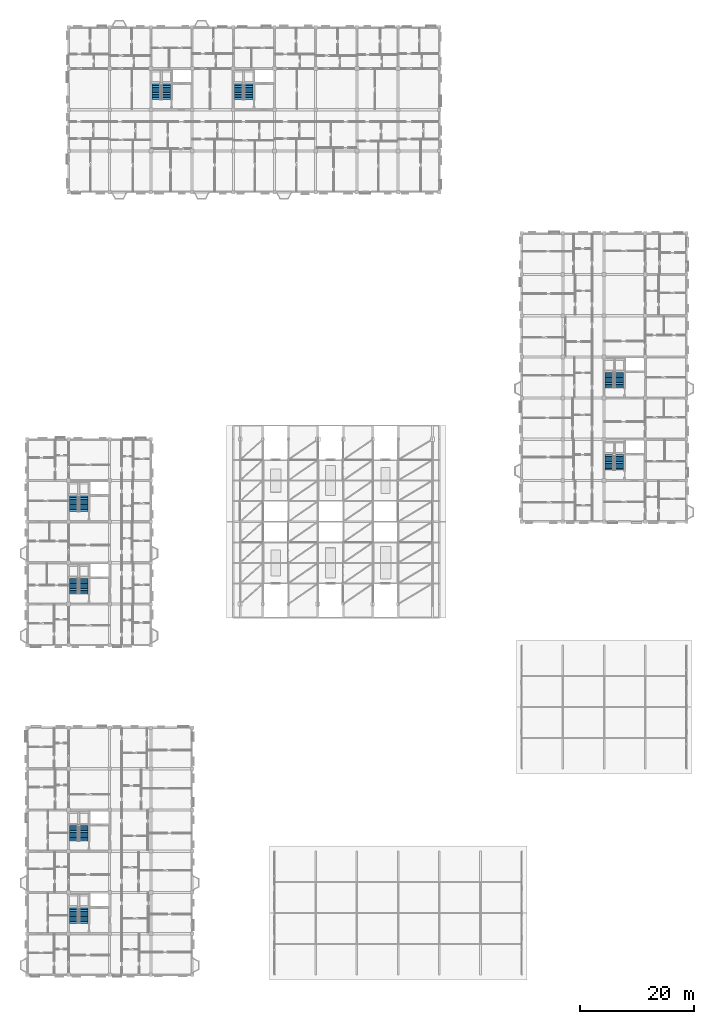
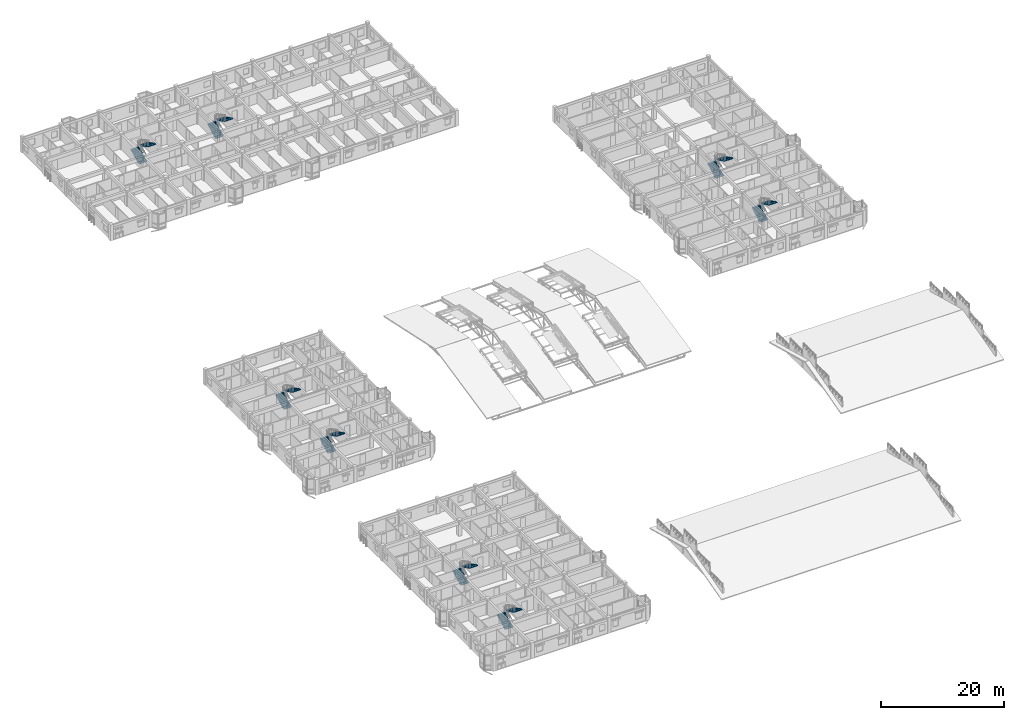
# One storey, part 114 of 124: 16 stair flights, 8 elements without a shape of their own.
"""IFC4 building model written with IfcOpenShell, lengths in metres."""

import ifcopenshell
import ifcopenshell.guid

model = None  # the IFC model being written
_history = None  # IfcOwnerHistory: only IFC2X3 demands one
_inside = {}  # id of a spatial element -> (the spatial element, [elements in it])
_under = {}  # id of a project, library or spatial element -> (it, [spatial elements below it])
_declared = {}  # id of a project -> (the project, [libraries it declares])
_typed = {}  # id of a type object -> (the type object, [elements of that type])
_made_of = {}  # id of a material, layer set ... -> (it, [elements and type objects made of it])


def new_model(schema):
    """Start an empty IFC model of exactly this schema.

    Asked for "IFC4X3", IfcOpenShell would pick the latest addendum, in which some entities
    have other attributes; the version numbers below select the first issue.
    IFC2X3 requires an IfcOwnerHistory on every rooted entity: one is made here for all.
    """
    global model, _history
    if schema == "IFC4X3":
        model = ifcopenshell.file(schema_version=(4, 3, 0, 0))
    else:
        model = ifcopenshell.file(schema=schema)
    _inside.clear()
    _under.clear()
    _declared.clear()
    _typed.clear()
    _made_of.clear()
    _history = None
    if model.schema == "IFC2X3":
        org = make("IfcOrganization", Name="unknown")
        user = make(
            "IfcPersonAndOrganization",
            ThePerson=make("IfcPerson", FamilyName="unknown"),
            TheOrganization=org,
        )
        app = make(
            "IfcApplication",
            ApplicationDeveloper=org,
            Version="unknown",
            ApplicationFullName="unknown",
            ApplicationIdentifier="unknown",
        )
        _history = make(
            "IfcOwnerHistory",
            OwningUser=user,
            OwningApplication=app,
            ChangeAction="ADDED",
            CreationDate=0,
        )
    return model


def make(cls, **values):
    """One entity of the class cls with the attributes given. An attribute that is None is left unset."""
    return model.create_entity(
        cls, **{name: value for name, value in values.items() if value is not None}
    )


def rooted(cls, **values):
    """An entity with a GlobalId (a new one), such as an element, a storey or a relation."""
    return make(cls, GlobalId=ifcopenshell.guid.new(), OwnerHistory=_history, **values)


def si_unit(unit_type, name, prefix=None):
    """IfcSIUnit, for example si_unit("LENGTHUNIT", "METRE", prefix="MILLI")."""
    return make("IfcSIUnit", UnitType=unit_type, Prefix=prefix, Name=name)


def assignment(units):
    """IfcUnitAssignment: the units of a project."""
    return None if units is None else make("IfcUnitAssignment", Units=units)


def point(xyz):
    """IfcCartesianPoint."""
    return None if xyz is None else make("IfcCartesianPoint", Coordinates=xyz)


def direction(xyz):
    """IfcDirection."""
    return None if xyz is None else make("IfcDirection", DirectionRatios=xyz)


def frame(location, z_axis=None, x_axis=None):
    """IfcAxis2Placement3D, a coordinate frame: its origin and axes. An axis left out is left unset."""
    return make(
        "IfcAxis2Placement3D",
        Location=point(location),
        Axis=direction(z_axis),
        RefDirection=direction(x_axis),
    )


def origin():
    """The frame at (0, 0, 0) with its axes left unset."""
    return frame((0.0, 0.0, 0.0))


def place(relative_to, where):
    """IfcLocalPlacement: puts the frame where relative to a parent placement (None: the world)."""
    return make(
        "IfcLocalPlacement", PlacementRelTo=relative_to, RelativePlacement=where
    )


def context(
    kind, dimensions, precision=None, world=None, true_north=None, identifier=None
):
    """IfcGeometricRepresentationContext, for example the 3D "Model" context."""
    return make(
        "IfcGeometricRepresentationContext",
        ContextIdentifier=identifier,
        ContextType=kind,
        CoordinateSpaceDimension=dimensions,
        Precision=precision,
        WorldCoordinateSystem=world,
        TrueNorth=true_north,
    )


def subcontext(parent, identifier, kind, view, scale=None):
    """IfcGeometricRepresentationSubContext, for example "Body" below "Model"."""
    return make(
        "IfcGeometricRepresentationSubContext",
        ContextIdentifier=identifier,
        ContextType=kind,
        ParentContext=parent,
        TargetScale=scale,
        TargetView=view,
    )


def project(units=None, contexts=None):
    """IfcProject with its units and contexts."""
    return rooted(
        "IfcProject",
        Name="project",
        RepresentationContexts=contexts,
        UnitsInContext=assignment(units),
    )


def spatial(cls, under=None, at=None, **own):
    """A site, building, storey or space (cls), placed at a placement, below another one or the project."""
    s = rooted(cls, ObjectPlacement=at, **own)
    if under is not None:
        _under.setdefault(under.id(), (under, []))[1].append(s)
    return s


def polyline(points):
    """IfcPolyline through the points."""
    return make("IfcPolyline", Points=[point(p) for p in points])


def outline(outer, holes=None, kind="AREA"):
    """IfcArbitraryClosedProfileDef: a profile drawn as a closed curve; with holes, ...WithVoids."""
    if holes is None:
        return make("IfcArbitraryClosedProfileDef", ProfileType=kind, OuterCurve=outer)
    return make(
        "IfcArbitraryProfileDefWithVoids",
        ProfileType=kind,
        OuterCurve=outer,
        InnerCurves=holes,
    )


def extrude(swept, where, along, depth):
    """IfcExtrudedAreaSolid: the profile swept, set in the frame where, extruded along a direction by depth."""
    return make(
        "IfcExtrudedAreaSolid",
        SweptArea=swept,
        Position=where,
        ExtrudedDirection=direction(along),
        Depth=depth,
    )


def shape(context_of_items, identifier, shape_type, items):
    """IfcShapeRepresentation: the items that make up one representation, for example the "Body"."""
    return make(
        "IfcShapeRepresentation",
        ContextOfItems=context_of_items,
        RepresentationIdentifier=identifier,
        RepresentationType=shape_type,
        Items=items,
    )


def material(Name=None, Category=None):
    """IfcMaterial."""
    return make("IfcMaterial", Name=Name, Category=Category)


def made_of(thing, what):
    """Note that an element or type object is made of a material, layer set ...; save() writes the relation."""
    if what is not None:
        _made_of.setdefault(what.id(), (what, []))[1].append(thing)
    return thing


def type_object(cls, material=None, **own):
    """A type object (cls), such as IfcWallType, which elements share."""
    return made_of(rooted(cls, **own), material)


def element(
    cls,
    number,
    at=None,
    inside=None,
    cuts=None,
    type_object=None,
    material=None,
    context=None,
    identifier="Body",
    shape_type=None,
    held_by="IfcProductDefinitionShape",
    body=None,
    shapes=None,
    **own,
):
    """One element of the class cls, such as IfcWall. Its Tag is "e" and its number.

    at: its placement. inside: the storey or other place that contains it. cuts: it is an
    opening in that element (IfcRelVoidsElement). A single representation is given by context,
    identifier, shape_type and body (its items); several are given by shapes. held_by: the class
    of the entity that holds the representations. save() writes the other relations.
    """
    e = rooted(cls, Tag="e%d" % number, ObjectPlacement=at, **own)
    if body is not None:
        shapes = [shape(context, identifier, shape_type, body)]
    if shapes is not None:
        e.Representation = make(held_by, Representations=shapes)
    if inside is not None:
        _inside.setdefault(inside.id(), (inside, []))[1].append(e)
    if cuts is not None:
        rooted(
            "IfcRelVoidsElement", RelatingBuildingElement=cuts, RelatedOpeningElement=e
        )
    if type_object is not None:
        _typed.setdefault(type_object.id(), (type_object, []))[1].append(e)
    return made_of(e, material)


def aggregate(whole, parts):
    """IfcRelAggregates: a whole, such as a stair, and the parts it consists of."""
    return rooted("IfcRelAggregates", RelatingObject=whole, RelatedObjects=parts)


def save(model, path):
    """Write the relations noted so far, then the file.

    IfcRelAggregates (storeys below a building ...), IfcRelContainedInSpatialStructure (elements
    in a storey), IfcRelDefinesByType, IfcRelAssociatesMaterial and IfcRelDeclares: one each for
    every whole, place, type object, material and project.
    """
    for whole, parts in _under.values():
        aggregate(whole, parts)
    for where, things in _inside.values():
        rooted(
            "IfcRelContainedInSpatialStructure",
            RelatedElements=things,
            RelatingStructure=where,
        )
    for kind, things in _typed.values():
        rooted("IfcRelDefinesByType", RelatedObjects=things, RelatingType=kind)
    for what, things in _made_of.values():
        rooted("IfcRelAssociatesMaterial", RelatedObjects=things, RelatingMaterial=what)
    for by, libraries in _declared.values():
        rooted("IfcRelDeclares", RelatingContext=by, RelatedDefinitions=libraries)
    model.write(path)


model = new_model("IFC4")

# Units and contexts
model_context = context("Model", 3, precision=1e-05, world=origin(), true_north=direction((0.0, 1.0)))
body_context = subcontext(model_context, "Body", "Model", "MODEL_VIEW")
ifc_project = project(units=[si_unit("LENGTHUNIT", "METRE"), si_unit("AREAUNIT", "SQUARE_METRE"), si_unit("VOLUMEUNIT", "CUBIC_METRE"), si_unit("PLANEANGLEUNIT", "RADIAN"), si_unit("MASSUNIT", "GRAM", prefix="KILO"), si_unit("THERMODYNAMICTEMPERATUREUNIT", "KELVIN"), si_unit("POWERUNIT", "WATT")], contexts=[model_context])

# Site, building, storey
site_placement = place(None, origin())
site = spatial("IfcSite", under=ifc_project, at=site_placement, CompositionType="ELEMENT")
building_placement = place(site_placement, origin())
building = spatial("IfcBuilding", under=site, at=building_placement, Name="Tavuni Mirador Residences", CompositionType="ELEMENT")
storey_placement = place(building_placement, frame((0.0, 0.0, 7.64990234375)))
storey = spatial("IfcBuildingStorey", under=building, at=storey_placement, Name="L02", CompositionType="ELEMENT", Elevation=7.64990234375)

# Stair, stair flights
ifc_material = material(Name="Precast concrete C40/50", Category="concrete")
stair_type = type_object("IfcStairType", Name="STT-TYP", PredefinedType="HALF_TURN_STAIR", material=ifc_material)
stair_1_placement = place(storey_placement, origin())
stair_1 = element("IfcStair", 1, at=stair_1_placement, inside=storey, type_object=stair_type, Name="Protected exit stair ST1 (L02)", PredefinedType="HALF_TURN_STAIR")
stair_flight_type = type_object("IfcStairFlightType", Name="SFT-1500", PredefinedType="STRAIGHT", material=ifc_material)
stair_flight_1_placement = place(storey_placement, frame((11.75, 16.199951171875, 0.0), z_axis=(0.0, 0.0, 1.0), x_axis=(0.0, 1.0, 0.0)))
stair_flight_1 = element("IfcStairFlight", 2, at=stair_flight_1_placement, type_object=stair_flight_type, Name="ST1 flight 1", NumberOfRisers=10, NumberOfTreads=9, PredefinedType="STRAIGHT", RiserHeight=0.1575, TreadLength=0.3, context=body_context, shape_type="SweptSolid", body=[
    extrude(outline(polyline([(0.0, 0.0), (0.0, 0.157470703125), (0.300048828125, 0.157470703125), (0.300048828125, 0.31494140625), (0.60009765625, 0.31494140625), (0.60009765625, 0.472412109375), (0.89990234375, 0.472412109375), (0.89990234375, 0.6298828125), (1.199951171875, 0.6298828125), (1.199951171875, 0.78759765625), (1.5, 0.78759765625), (1.5, 0.945068359375), (1.800048828125, 0.945068359375), (1.800048828125, 1.1025390625), (2.10009765625, 1.1025390625), (2.10009765625, 1.260009765625), (2.39990234375, 1.260009765625), (2.39990234375, 1.41748046875), (2.699951171875, 1.41748046875), (2.699951171875, 1.574951171875), (2.699951171875, 1.23681640625), (0.343994140625, 0.0), (0.0, 0.0)])), frame((0.0, 0.75, 0.0), z_axis=(0.0, -1.0, 0.0), x_axis=(1.0, 0.0, 0.0)), (0.0, 0.0, 1.0), 1.5),
])
stair_flight_2_placement = place(storey_placement, frame((13.449951171875, 18.89990234375, 1.5751953125), z_axis=(0.0, 0.0, 1.0), x_axis=(0.0, -1.0, 0.0)))
stair_flight_2 = element("IfcStairFlight", 3, at=stair_flight_2_placement, type_object=stair_flight_type, Name="ST1 flight 2", NumberOfRisers=10, NumberOfTreads=9, PredefinedType="STRAIGHT", RiserHeight=0.1575, TreadLength=0.3, context=body_context, shape_type="SweptSolid", body=[
    extrude(outline(polyline([(0.0, 0.0), (0.0, 0.157470703125), (0.300048828125, 0.157470703125), (0.300048828125, 0.31494140625), (0.60009765625, 0.31494140625), (0.60009765625, 0.472412109375), (0.89990234375, 0.472412109375), (0.89990234375, 0.6298828125), (1.199951171875, 0.6298828125), (1.199951171875, 0.78759765625), (1.5, 0.78759765625), (1.5, 0.945068359375), (1.800048828125, 0.945068359375), (1.800048828125, 1.1025390625), (2.10009765625, 1.1025390625), (2.10009765625, 1.260009765625), (2.39990234375, 1.260009765625), (2.39990234375, 1.41748046875), (2.699951171875, 1.41748046875), (2.699951171875, 1.574951171875), (2.699951171875, 1.23681640625), (0.343994140625, 0.0), (0.0, 0.0)])), frame((0.0, 0.75, 0.0), z_axis=(0.0, -1.0, 0.0), x_axis=(1.0, 0.0, 0.0)), (0.0, 0.0, 1.0), 1.5),
])
aggregate(stair_1, [stair_flight_1, stair_flight_2])

stair_2_placement = place(storey_placement, origin())
stair_2 = element("IfcStair", 4, at=stair_2_placement, inside=storey, type_object=stair_type, Name="Protected exit stair ST2 (L02)", PredefinedType="HALF_TURN_STAIR")
stair_flight_3_placement = place(storey_placement, frame((11.75, 30.60009765625, 0.0), z_axis=(0.0, 0.0, 1.0), x_axis=(0.0, 1.0, 0.0)))
stair_flight_3 = element("IfcStairFlight", 5, at=stair_flight_3_placement, type_object=stair_flight_type, Name="ST2 flight 1", NumberOfRisers=10, NumberOfTreads=9, PredefinedType="STRAIGHT", RiserHeight=0.1575, TreadLength=0.3, context=body_context, shape_type="SweptSolid", body=[
    extrude(outline(polyline([(0.0, 0.0), (0.0, 0.157470703125), (0.300048828125, 0.157470703125), (0.300048828125, 0.31494140625), (0.60009765625, 0.31494140625), (0.60009765625, 0.472412109375), (0.89990234375, 0.472412109375), (0.89990234375, 0.6298828125), (1.199951171875, 0.6298828125), (1.199951171875, 0.78759765625), (1.5, 0.78759765625), (1.5, 0.945068359375), (1.800048828125, 0.945068359375), (1.800048828125, 1.1025390625), (2.10009765625, 1.1025390625), (2.10009765625, 1.260009765625), (2.39990234375, 1.260009765625), (2.39990234375, 1.41748046875), (2.699951171875, 1.41748046875), (2.699951171875, 1.574951171875), (2.699951171875, 1.23681640625), (0.343994140625, 0.0), (0.0, 0.0)])), frame((0.0, 0.75, 0.0), z_axis=(0.0, -1.0, 0.0), x_axis=(1.0, 0.0, 0.0)), (0.0, 0.0, 1.0), 1.5),
])
stair_flight_4_placement = place(storey_placement, frame((13.449951171875, 33.300048828125, 1.5751953125), z_axis=(0.0, 0.0, 1.0), x_axis=(0.0, -1.0, 0.0)))
stair_flight_4 = element("IfcStairFlight", 6, at=stair_flight_4_placement, type_object=stair_flight_type, Name="ST2 flight 2", NumberOfRisers=10, NumberOfTreads=9, PredefinedType="STRAIGHT", RiserHeight=0.1575, TreadLength=0.3, context=body_context, shape_type="SweptSolid", body=[
    extrude(outline(polyline([(0.0, 0.0), (0.0, 0.157470703125), (0.300048828125, 0.157470703125), (0.300048828125, 0.31494140625), (0.60009765625, 0.31494140625), (0.60009765625, 0.472412109375), (0.89990234375, 0.472412109375), (0.89990234375, 0.6298828125), (1.199951171875, 0.6298828125), (1.199951171875, 0.78759765625), (1.5, 0.78759765625), (1.5, 0.945068359375), (1.800048828125, 0.945068359375), (1.800048828125, 1.1025390625), (2.10009765625, 1.1025390625), (2.10009765625, 1.260009765625), (2.39990234375, 1.260009765625), (2.39990234375, 1.41748046875), (2.699951171875, 1.41748046875), (2.699951171875, 1.574951171875), (2.699951171875, 1.23681640625), (0.343994140625, 0.0), (0.0, 0.0)])), frame((0.0, 0.75, 0.0), z_axis=(0.0, -1.0, 0.0), x_axis=(1.0, 0.0, 0.0)), (0.0, 0.0, 1.0), 1.5),
])
aggregate(stair_2, [stair_flight_3, stair_flight_4])

stair_3_placement = place(storey_placement, origin())
stair_3 = element("IfcStair", 7, at=stair_3_placement, inside=storey, type_object=stair_type, Name="Protected exit stair ST3 (L02)", PredefinedType="HALF_TURN_STAIR")
stair_flight_5_placement = place(storey_placement, frame((11.75, 73.800048828125, 0.0), z_axis=(0.0, 0.0, 1.0), x_axis=(0.0, 1.0, 0.0)))
stair_flight_5 = element("IfcStairFlight", 8, at=stair_flight_5_placement, type_object=stair_flight_type, Name="ST3 flight 1", NumberOfRisers=10, NumberOfTreads=9, PredefinedType="STRAIGHT", RiserHeight=0.1575, TreadLength=0.3, context=body_context, shape_type="SweptSolid", body=[
    extrude(outline(polyline([(0.0, 0.0), (0.0, 0.157470703125), (0.300048828125, 0.157470703125), (0.300048828125, 0.31494140625), (0.60009765625, 0.31494140625), (0.60009765625, 0.472412109375), (0.89990234375, 0.472412109375), (0.89990234375, 0.6298828125), (1.199951171875, 0.6298828125), (1.199951171875, 0.78759765625), (1.5, 0.78759765625), (1.5, 0.945068359375), (1.800048828125, 0.945068359375), (1.800048828125, 1.1025390625), (2.10009765625, 1.1025390625), (2.10009765625, 1.260009765625), (2.39990234375, 1.260009765625), (2.39990234375, 1.41748046875), (2.699951171875, 1.41748046875), (2.699951171875, 1.574951171875), (2.699951171875, 1.23681640625), (0.343994140625, 0.0), (0.0, 0.0)])), frame((0.0, 0.75, 0.0), z_axis=(0.0, -1.0, 0.0), x_axis=(1.0, 0.0, 0.0)), (0.0, 0.0, 1.0), 1.5),
])
stair_flight_6_placement = place(storey_placement, frame((13.449951171875, 76.5, 1.5751953125), z_axis=(0.0, 0.0, 1.0), x_axis=(0.0, -1.0, 0.0)))
stair_flight_6 = element("IfcStairFlight", 9, at=stair_flight_6_placement, type_object=stair_flight_type, Name="ST3 flight 2", NumberOfRisers=10, NumberOfTreads=9, PredefinedType="STRAIGHT", RiserHeight=0.1575, TreadLength=0.3, context=body_context, shape_type="SweptSolid", body=[
    extrude(outline(polyline([(0.0, 0.0), (0.0, 0.157470703125), (0.300048828125, 0.157470703125), (0.300048828125, 0.31494140625), (0.60009765625, 0.31494140625), (0.60009765625, 0.472412109375), (0.89990234375, 0.472412109375), (0.89990234375, 0.6298828125), (1.199951171875, 0.6298828125), (1.199951171875, 0.78759765625), (1.5, 0.78759765625), (1.5, 0.945068359375), (1.800048828125, 0.945068359375), (1.800048828125, 1.1025390625), (2.10009765625, 1.1025390625), (2.10009765625, 1.260009765625), (2.39990234375, 1.260009765625), (2.39990234375, 1.41748046875), (2.699951171875, 1.41748046875), (2.699951171875, 1.574951171875), (2.699951171875, 1.23681640625), (0.343994140625, 0.0), (0.0, 0.0)])), frame((0.0, 0.75, 0.0), z_axis=(0.0, -1.0, 0.0), x_axis=(1.0, 0.0, 0.0)), (0.0, 0.0, 1.0), 1.5),
])
aggregate(stair_3, [stair_flight_5, stair_flight_6])

stair_4_placement = place(storey_placement, origin())
stair_4 = element("IfcStair", 10, at=stair_4_placement, inside=storey, type_object=stair_type, Name="Protected exit stair ST4 (L02)", PredefinedType="HALF_TURN_STAIR")
stair_flight_7_placement = place(storey_placement, frame((11.75, 88.199951171875, 0.0), z_axis=(0.0, 0.0, 1.0), x_axis=(0.0, 1.0, 0.0)))
stair_flight_7 = element("IfcStairFlight", 11, at=stair_flight_7_placement, type_object=stair_flight_type, Name="ST4 flight 1", NumberOfRisers=10, NumberOfTreads=9, PredefinedType="STRAIGHT", RiserHeight=0.1575, TreadLength=0.3, context=body_context, shape_type="SweptSolid", body=[
    extrude(outline(polyline([(0.0, 0.0), (0.0, 0.157470703125), (0.300048828125, 0.157470703125), (0.300048828125, 0.31494140625), (0.60009765625, 0.31494140625), (0.60009765625, 0.472412109375), (0.89990234375, 0.472412109375), (0.89990234375, 0.6298828125), (1.199951171875, 0.6298828125), (1.199951171875, 0.78759765625), (1.5, 0.78759765625), (1.5, 0.945068359375), (1.800048828125, 0.945068359375), (1.800048828125, 1.1025390625), (2.10009765625, 1.1025390625), (2.10009765625, 1.260009765625), (2.39990234375, 1.260009765625), (2.39990234375, 1.41748046875), (2.699951171875, 1.41748046875), (2.699951171875, 1.574951171875), (2.699951171875, 1.23681640625), (0.343994140625, 0.0), (0.0, 0.0)])), frame((0.0, 0.75, 0.0), z_axis=(0.0, -1.0, 0.0), x_axis=(1.0, 0.0, 0.0)), (0.0, 0.0, 1.0), 1.5),
])
stair_flight_8_placement = place(storey_placement, frame((13.449951171875, 90.89990234375, 1.5751953125), z_axis=(0.0, 0.0, 1.0), x_axis=(0.0, -1.0, 0.0)))
stair_flight_8 = element("IfcStairFlight", 12, at=stair_flight_8_placement, type_object=stair_flight_type, Name="ST4 flight 2", NumberOfRisers=10, NumberOfTreads=9, PredefinedType="STRAIGHT", RiserHeight=0.1575, TreadLength=0.3, context=body_context, shape_type="SweptSolid", body=[
    extrude(outline(polyline([(0.0, 0.0), (0.0, 0.157470703125), (0.300048828125, 0.157470703125), (0.300048828125, 0.31494140625), (0.60009765625, 0.31494140625), (0.60009765625, 0.472412109375), (0.89990234375, 0.472412109375), (0.89990234375, 0.6298828125), (1.199951171875, 0.6298828125), (1.199951171875, 0.78759765625), (1.5, 0.78759765625), (1.5, 0.945068359375), (1.800048828125, 0.945068359375), (1.800048828125, 1.1025390625), (2.10009765625, 1.1025390625), (2.10009765625, 1.260009765625), (2.39990234375, 1.260009765625), (2.39990234375, 1.41748046875), (2.699951171875, 1.41748046875), (2.699951171875, 1.574951171875), (2.699951171875, 1.23681640625), (0.343994140625, 0.0), (0.0, 0.0)])), frame((0.0, 0.75, 0.0), z_axis=(0.0, -1.0, 0.0), x_axis=(1.0, 0.0, 0.0)), (0.0, 0.0, 1.0), 1.5),
])
aggregate(stair_4, [stair_flight_7, stair_flight_8])

stair_5_placement = place(storey_placement, origin())
stair_5 = element("IfcStair", 13, at=stair_5_placement, inside=storey, type_object=stair_type, Name="Protected exit stair ST5 (L02)", PredefinedType="HALF_TURN_STAIR")
stair_flight_9_placement = place(storey_placement, frame((26.14990234375, 160.199951171875, 0.0), z_axis=(0.0, 0.0, 1.0), x_axis=(0.0, 1.0, 0.0)))
stair_flight_9 = element("IfcStairFlight", 14, at=stair_flight_9_placement, type_object=stair_flight_type, Name="ST5 flight 1", NumberOfRisers=10, NumberOfTreads=9, PredefinedType="STRAIGHT", RiserHeight=0.1575, TreadLength=0.3, context=body_context, shape_type="SweptSolid", body=[
    extrude(outline(polyline([(0.0, 0.0), (0.0, 0.157470703125), (0.300048828125, 0.157470703125), (0.300048828125, 0.31494140625), (0.60009765625, 0.31494140625), (0.60009765625, 0.472412109375), (0.89990234375, 0.472412109375), (0.89990234375, 0.6298828125), (1.199951171875, 0.6298828125), (1.199951171875, 0.78759765625), (1.5, 0.78759765625), (1.5, 0.945068359375), (1.800048828125, 0.945068359375), (1.800048828125, 1.1025390625), (2.10009765625, 1.1025390625), (2.10009765625, 1.260009765625), (2.39990234375, 1.260009765625), (2.39990234375, 1.41748046875), (2.699951171875, 1.41748046875), (2.699951171875, 1.574951171875), (2.699951171875, 1.23681640625), (0.343994140625, 0.0), (0.0, 0.0)])), frame((0.0, 0.75, 0.0), z_axis=(0.0, -1.0, 0.0), x_axis=(1.0, 0.0, 0.0)), (0.0, 0.0, 1.0), 1.5),
])
stair_flight_10_placement = place(storey_placement, frame((27.85009765625, 162.89990234375, 1.5751953125), z_axis=(0.0, 0.0, 1.0), x_axis=(0.0, -1.0, 0.0)))
stair_flight_10 = element("IfcStairFlight", 15, at=stair_flight_10_placement, type_object=stair_flight_type, Name="ST5 flight 2", NumberOfRisers=10, NumberOfTreads=9, PredefinedType="STRAIGHT", RiserHeight=0.1575, TreadLength=0.3, context=body_context, shape_type="SweptSolid", body=[
    extrude(outline(polyline([(0.0, 0.0), (0.0, 0.157470703125), (0.300048828125, 0.157470703125), (0.300048828125, 0.31494140625), (0.60009765625, 0.31494140625), (0.60009765625, 0.472412109375), (0.89990234375, 0.472412109375), (0.89990234375, 0.6298828125), (1.199951171875, 0.6298828125), (1.199951171875, 0.78759765625), (1.5, 0.78759765625), (1.5, 0.945068359375), (1.800048828125, 0.945068359375), (1.800048828125, 1.1025390625), (2.10009765625, 1.1025390625), (2.10009765625, 1.260009765625), (2.39990234375, 1.260009765625), (2.39990234375, 1.41748046875), (2.699951171875, 1.41748046875), (2.699951171875, 1.574951171875), (2.699951171875, 1.23681640625), (0.343994140625, 0.0), (0.0, 0.0)])), frame((0.0, 0.75, 0.0), z_axis=(0.0, -1.0, 0.0), x_axis=(1.0, 0.0, 0.0)), (0.0, 0.0, 1.0), 1.5),
])
aggregate(stair_5, [stair_flight_9, stair_flight_10])

stair_6_placement = place(storey_placement, origin())
stair_6 = element("IfcStair", 16, at=stair_6_placement, inside=storey, type_object=stair_type, Name="Protected exit stair ST6 (L02)", PredefinedType="HALF_TURN_STAIR")
stair_flight_11_placement = place(storey_placement, frame((40.550048828125, 160.199951171875, 0.0), z_axis=(0.0, 0.0, 1.0), x_axis=(0.0, 1.0, 0.0)))
stair_flight_11 = element("IfcStairFlight", 17, at=stair_flight_11_placement, type_object=stair_flight_type, Name="ST6 flight 1", NumberOfRisers=10, NumberOfTreads=9, PredefinedType="STRAIGHT", RiserHeight=0.1575, TreadLength=0.3, context=body_context, shape_type="SweptSolid", body=[
    extrude(outline(polyline([(0.0, 0.0), (0.0, 0.157470703125), (0.300048828125, 0.157470703125), (0.300048828125, 0.31494140625), (0.60009765625, 0.31494140625), (0.60009765625, 0.472412109375), (0.89990234375, 0.472412109375), (0.89990234375, 0.6298828125), (1.199951171875, 0.6298828125), (1.199951171875, 0.78759765625), (1.5, 0.78759765625), (1.5, 0.945068359375), (1.800048828125, 0.945068359375), (1.800048828125, 1.1025390625), (2.10009765625, 1.1025390625), (2.10009765625, 1.260009765625), (2.39990234375, 1.260009765625), (2.39990234375, 1.41748046875), (2.699951171875, 1.41748046875), (2.699951171875, 1.574951171875), (2.699951171875, 1.23681640625), (0.343994140625, 0.0), (0.0, 0.0)])), frame((0.0, 0.75, 0.0), z_axis=(0.0, -1.0, 0.0), x_axis=(1.0, 0.0, 0.0)), (0.0, 0.0, 1.0), 1.5),
])
stair_flight_12_placement = place(storey_placement, frame((42.25, 162.89990234375, 1.5751953125), z_axis=(0.0, 0.0, 1.0), x_axis=(0.0, -1.0, 0.0)))
stair_flight_12 = element("IfcStairFlight", 18, at=stair_flight_12_placement, type_object=stair_flight_type, Name="ST6 flight 2", NumberOfRisers=10, NumberOfTreads=9, PredefinedType="STRAIGHT", RiserHeight=0.1575, TreadLength=0.3, context=body_context, shape_type="SweptSolid", body=[
    extrude(outline(polyline([(0.0, 0.0), (0.0, 0.157470703125), (0.300048828125, 0.157470703125), (0.300048828125, 0.31494140625), (0.60009765625, 0.31494140625), (0.60009765625, 0.472412109375), (0.89990234375, 0.472412109375), (0.89990234375, 0.6298828125), (1.199951171875, 0.6298828125), (1.199951171875, 0.78759765625), (1.5, 0.78759765625), (1.5, 0.945068359375), (1.800048828125, 0.945068359375), (1.800048828125, 1.1025390625), (2.10009765625, 1.1025390625), (2.10009765625, 1.260009765625), (2.39990234375, 1.260009765625), (2.39990234375, 1.41748046875), (2.699951171875, 1.41748046875), (2.699951171875, 1.574951171875), (2.699951171875, 1.23681640625), (0.343994140625, 0.0), (0.0, 0.0)])), frame((0.0, 0.75, 0.0), z_axis=(0.0, -1.0, 0.0), x_axis=(1.0, 0.0, 0.0)), (0.0, 0.0, 1.0), 1.5),
])
aggregate(stair_6, [stair_flight_11, stair_flight_12])

stair_7_placement = place(storey_placement, origin())
stair_7 = element("IfcStair", 19, at=stair_7_placement, inside=storey, type_object=stair_type, Name="Protected exit stair ST7 (L02)", PredefinedType="HALF_TURN_STAIR")
stair_flight_13_placement = place(storey_placement, frame((105.35009765625, 95.39990234375, 0.0), z_axis=(0.0, 0.0, 1.0), x_axis=(0.0, 1.0, 0.0)))
stair_flight_13 = element("IfcStairFlight", 20, at=stair_flight_13_placement, type_object=stair_flight_type, Name="ST7 flight 1", NumberOfRisers=10, NumberOfTreads=9, PredefinedType="STRAIGHT", RiserHeight=0.1575, TreadLength=0.3, context=body_context, shape_type="SweptSolid", body=[
    extrude(outline(polyline([(0.0, 0.0), (0.0, 0.157470703125), (0.300048828125, 0.157470703125), (0.300048828125, 0.31494140625), (0.60009765625, 0.31494140625), (0.60009765625, 0.472412109375), (0.89990234375, 0.472412109375), (0.89990234375, 0.6298828125), (1.199951171875, 0.6298828125), (1.199951171875, 0.78759765625), (1.5, 0.78759765625), (1.5, 0.945068359375), (1.800048828125, 0.945068359375), (1.800048828125, 1.1025390625), (2.10009765625, 1.1025390625), (2.10009765625, 1.260009765625), (2.39990234375, 1.260009765625), (2.39990234375, 1.41748046875), (2.699951171875, 1.41748046875), (2.699951171875, 1.574951171875), (2.699951171875, 1.23681640625), (0.343994140625, 0.0), (0.0, 0.0)])), frame((0.0, 0.75, 0.0), z_axis=(0.0, -1.0, 0.0), x_axis=(1.0, 0.0, 0.0)), (0.0, 0.0, 1.0), 1.5),
])
stair_flight_14_placement = place(storey_placement, frame((107.050048828125, 98.10009765625, 1.5751953125), z_axis=(0.0, 0.0, 1.0), x_axis=(0.0, -1.0, 0.0)))
stair_flight_14 = element("IfcStairFlight", 21, at=stair_flight_14_placement, type_object=stair_flight_type, Name="ST7 flight 2", NumberOfRisers=10, NumberOfTreads=9, PredefinedType="STRAIGHT", RiserHeight=0.1575, TreadLength=0.3, context=body_context, shape_type="SweptSolid", body=[
    extrude(outline(polyline([(0.0, 0.0), (0.0, 0.157470703125), (0.300048828125, 0.157470703125), (0.300048828125, 0.31494140625), (0.60009765625, 0.31494140625), (0.60009765625, 0.472412109375), (0.89990234375, 0.472412109375), (0.89990234375, 0.6298828125), (1.199951171875, 0.6298828125), (1.199951171875, 0.78759765625), (1.5, 0.78759765625), (1.5, 0.945068359375), (1.800048828125, 0.945068359375), (1.800048828125, 1.1025390625), (2.10009765625, 1.1025390625), (2.10009765625, 1.260009765625), (2.39990234375, 1.260009765625), (2.39990234375, 1.41748046875), (2.699951171875, 1.41748046875), (2.699951171875, 1.574951171875), (2.699951171875, 1.23681640625), (0.343994140625, 0.0), (0.0, 0.0)])), frame((0.0, 0.75, 0.0), z_axis=(0.0, -1.0, 0.0), x_axis=(1.0, 0.0, 0.0)), (0.0, 0.0, 1.0), 1.5),
])
aggregate(stair_7, [stair_flight_13, stair_flight_14])

stair_8_placement = place(storey_placement, origin())
stair_8 = element("IfcStair", 22, at=stair_8_placement, inside=storey, type_object=stair_type, Name="Protected exit stair ST8 (L02)", PredefinedType="HALF_TURN_STAIR")
stair_flight_15_placement = place(storey_placement, frame((105.35009765625, 109.800048828125, 0.0), z_axis=(0.0, 0.0, 1.0), x_axis=(0.0, 1.0, 0.0)))
stair_flight_15 = element("IfcStairFlight", 23, at=stair_flight_15_placement, type_object=stair_flight_type, Name="ST8 flight 1", NumberOfRisers=10, NumberOfTreads=9, PredefinedType="STRAIGHT", RiserHeight=0.1575, TreadLength=0.3, context=body_context, shape_type="SweptSolid", body=[
    extrude(outline(polyline([(0.0, 0.0), (0.0, 0.157470703125), (0.300048828125, 0.157470703125), (0.300048828125, 0.31494140625), (0.60009765625, 0.31494140625), (0.60009765625, 0.472412109375), (0.89990234375, 0.472412109375), (0.89990234375, 0.6298828125), (1.199951171875, 0.6298828125), (1.199951171875, 0.78759765625), (1.5, 0.78759765625), (1.5, 0.945068359375), (1.800048828125, 0.945068359375), (1.800048828125, 1.1025390625), (2.10009765625, 1.1025390625), (2.10009765625, 1.260009765625), (2.39990234375, 1.260009765625), (2.39990234375, 1.41748046875), (2.699951171875, 1.41748046875), (2.699951171875, 1.574951171875), (2.699951171875, 1.23681640625), (0.343994140625, 0.0), (0.0, 0.0)])), frame((0.0, 0.75, 0.0), z_axis=(0.0, -1.0, 0.0), x_axis=(1.0, 0.0, 0.0)), (0.0, 0.0, 1.0), 1.5),
])
stair_flight_16_placement = place(storey_placement, frame((107.050048828125, 112.5, 1.5751953125), z_axis=(0.0, 0.0, 1.0), x_axis=(0.0, -1.0, 0.0)))
stair_flight_16 = element("IfcStairFlight", 24, at=stair_flight_16_placement, type_object=stair_flight_type, Name="ST8 flight 2", NumberOfRisers=10, NumberOfTreads=9, PredefinedType="STRAIGHT", RiserHeight=0.1575, TreadLength=0.3, context=body_context, shape_type="SweptSolid", body=[
    extrude(outline(polyline([(0.0, 0.0), (0.0, 0.157470703125), (0.300048828125, 0.157470703125), (0.300048828125, 0.31494140625), (0.60009765625, 0.31494140625), (0.60009765625, 0.472412109375), (0.89990234375, 0.472412109375), (0.89990234375, 0.6298828125), (1.199951171875, 0.6298828125), (1.199951171875, 0.78759765625), (1.5, 0.78759765625), (1.5, 0.945068359375), (1.800048828125, 0.945068359375), (1.800048828125, 1.1025390625), (2.10009765625, 1.1025390625), (2.10009765625, 1.260009765625), (2.39990234375, 1.260009765625), (2.39990234375, 1.41748046875), (2.699951171875, 1.41748046875), (2.699951171875, 1.574951171875), (2.699951171875, 1.23681640625), (0.343994140625, 0.0), (0.0, 0.0)])), frame((0.0, 0.75, 0.0), z_axis=(0.0, -1.0, 0.0), x_axis=(1.0, 0.0, 0.0)), (0.0, 0.0, 1.0), 1.5),
])
aggregate(stair_8, [stair_flight_15, stair_flight_16])

save(model, "model.ifc")
